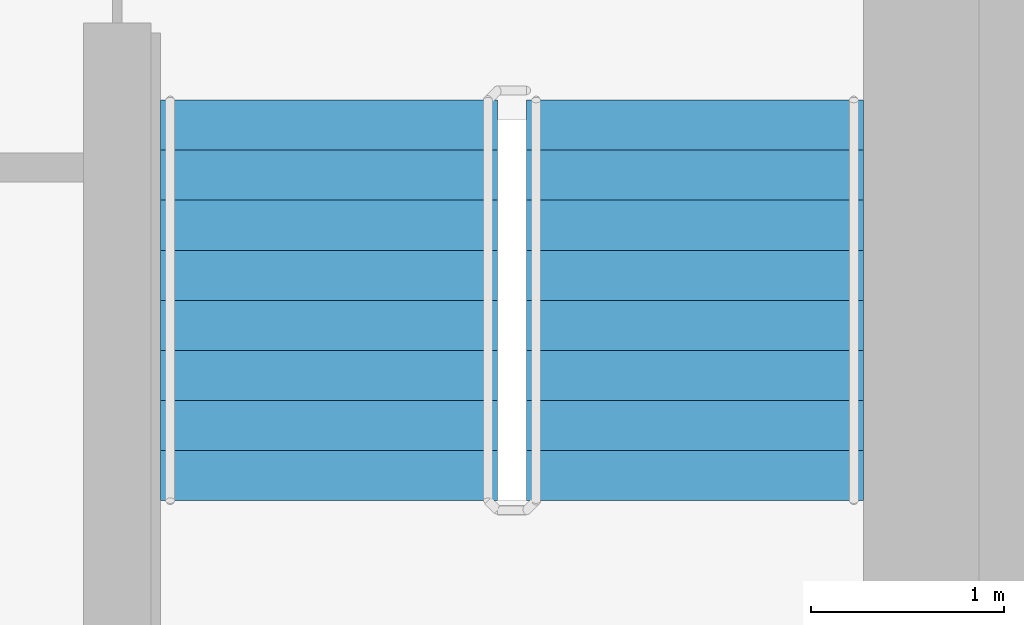
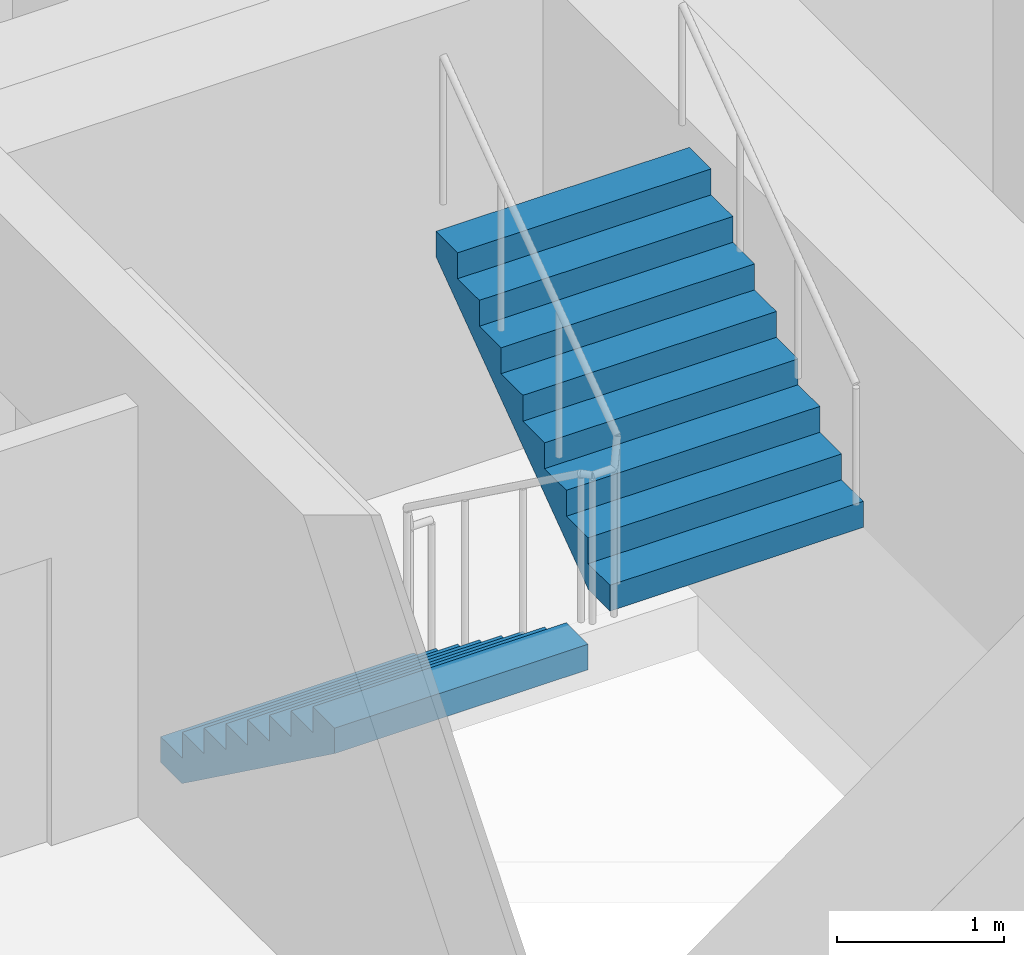
# One storey, part 15 of 19: 2 stair flights, 1 element without a shape of its own.
"""IFC4 building model written with IfcOpenShell, lengths in metres."""

from ifc_helpers import new_model, si_unit, direction, frame, origin, place, context, subcontext, project, spatial, faceted_brep, material, type_object, element, aggregate, save


model = new_model("IFC4")

# Units and contexts
model_context = context("Model", 3, precision=1e-05, world=origin(), true_north=direction((0.0, 1.0)))
body_context = subcontext(model_context, "Body", "Model", "MODEL_VIEW")
ifc_project = project(units=[si_unit("LENGTHUNIT", "METRE"), si_unit("AREAUNIT", "SQUARE_METRE"), si_unit("VOLUMEUNIT", "CUBIC_METRE"), si_unit("PLANEANGLEUNIT", "RADIAN"), si_unit("MASSUNIT", "GRAM", prefix="KILO")], contexts=[model_context])

# Site, building, storey
site_placement = place(None, origin())
site = spatial("IfcSite", under=ifc_project, at=site_placement, CompositionType="ELEMENT")
building_placement = place(site_placement, origin())
building = spatial("IfcBuilding", under=site, at=building_placement, Name="Ipe Terrace Towers", CompositionType="ELEMENT")
storey_placement = place(building_placement, frame((0.0, 0.0, 189.199951171875)))
storey = spatial("IfcBuildingStorey", under=building, at=storey_placement, Name="L52", CompositionType="ELEMENT", Elevation=189.199951171875)

# Stair, stair flights
ifc_material_1 = material(Name="Concrete C30/37", Category="concrete")
stair_type = type_object("IfcStairType", Name="Protected exit stair", PredefinedType="HALF_TURN_STAIR", material=ifc_material_1)
stair_placement = place(storey_placement, origin())
stair = element("IfcStair", 1, at=stair_placement, inside=storey, type_object=stair_type, Name="L52 Exit stair T2-C2", PredefinedType="HALF_TURN_STAIR")
ifc_material_2 = material(Name="Concrete C30/37", Category="concrete")
stair_flight_type = type_object("IfcStairFlightType", Name="Exit stair flight 1750", PredefinedType="STRAIGHT", material=ifc_material_2)
stair_flight_1_placement = place(storey_placement, frame((38.77490234375, -9.699951171875, 0.0), z_axis=(0.0, 0.0, 1.0), x_axis=(0.0, -1.0, 0.0)))
stair_flight_1 = element("IfcStairFlight", 2, at=stair_flight_1_placement, type_object=stair_flight_type, Name="T2-ST2 flight 1", NumberOfRisers=9, NumberOfTreads=8, PredefinedType="STRAIGHT", RiserHeight=0.188888889, TreadLength=0.26, context=body_context, shape_type="Brep", body=[
    faceted_brep([(0.255126953125, -0.875, 0.0), (2.080078125, -0.875, 1.325927734375), (2.080078125, -0.875, 1.51123046875), (1.820068359375, -0.875, 1.51123046875), (1.820068359375, -0.875, 1.322265625), (1.56005859375, -0.875, 1.322265625), (1.56005859375, -0.875, 1.13330078125), (1.300048828125, -0.875, 1.13330078125), (1.300048828125, -0.875, 0.9443359375), (1.0400390625, -0.875, 0.9443359375), (1.0400390625, -0.875, 0.755615234375), (0.780029296875, -0.875, 0.755615234375), (0.780029296875, -0.875, 0.566650390625), (0.52001953125, -0.875, 0.566650390625), (0.52001953125, -0.875, 0.377685546875), (0.260009765625, -0.875, 0.377685546875), (0.260009765625, -0.875, 0.18896484375), (0.0, -0.875, 0.18896484375), (0.0, -0.875, 0.0), (0.0, 0.875, 0.0), (0.0, 0.875, 0.18896484375), (0.260009765625, 0.875, 0.18896484375), (0.260009765625, 0.875, 0.377685546875), (0.52001953125, 0.875, 0.377685546875), (0.52001953125, 0.875, 0.566650390625), (0.780029296875, 0.875, 0.566650390625), (0.780029296875, 0.875, 0.755615234375), (1.0400390625, 0.875, 0.755615234375), (1.0400390625, 0.875, 0.9443359375), (1.300048828125, 0.875, 0.9443359375), (1.300048828125, 0.875, 1.13330078125), (1.56005859375, 0.875, 1.13330078125), (1.56005859375, 0.875, 1.322265625), (1.820068359375, 0.875, 1.322265625), (1.820068359375, 0.875, 1.51123046875), (2.080078125, 0.875, 1.51123046875), (2.080078125, 0.875, 1.325927734375), (0.255126953125, 0.875, 0.0), (0.0, -0.300048828125, 0.18896484375), (0.0, -0.1201171875, 0.18896484375), (0.0, -0.06005859375, 0.18896484375), (0.0, -0.030029296875, 0.18896484375), (0.0, -0.010009765625, 0.18896484375), (0.0, 0.0, 0.18896484375), (0.0, 0.010009765625, 0.18896484375), (0.0, 0.030029296875, 0.18896484375), (0.0, 0.06005859375, 0.18896484375), (0.0, 0.1201171875, 0.18896484375), (0.0, 0.300048828125, 0.18896484375), (0.0, 0.300048828125, 0.0), (0.0, 0.1201171875, 0.0), (0.0, 0.06005859375, 0.0), (0.0, 0.030029296875, 0.0), (0.0, 0.010009765625, 0.0), (0.0, 0.0, 0.0), (0.0, -0.010009765625, 0.0), (0.0, -0.030029296875, 0.0), (0.0, -0.06005859375, 0.0), (0.0, -0.1201171875, 0.0), (0.0, -0.300048828125, 0.0), (0.260009765625, -0.300048828125, 0.18896484375), (0.260009765625, -0.1201171875, 0.18896484375), (0.260009765625, -0.06005859375, 0.18896484375), (0.260009765625, -0.030029296875, 0.18896484375), (0.260009765625, -0.010009765625, 0.18896484375), (0.260009765625, 0.0, 0.18896484375), (0.260009765625, 0.010009765625, 0.18896484375), (0.260009765625, 0.030029296875, 0.18896484375), (0.260009765625, 0.06005859375, 0.18896484375), (0.260009765625, 0.1201171875, 0.18896484375), (0.260009765625, 0.300048828125, 0.18896484375), (0.260009765625, -0.300048828125, 0.377685546875), (0.260009765625, -0.1201171875, 0.377685546875), (0.260009765625, -0.06005859375, 0.377685546875), (0.260009765625, -0.030029296875, 0.377685546875), (0.260009765625, -0.010009765625, 0.377685546875), (0.260009765625, 0.0, 0.377685546875), (0.260009765625, 0.010009765625, 0.377685546875), (0.260009765625, 0.030029296875, 0.377685546875), (0.260009765625, 0.06005859375, 0.377685546875), (0.260009765625, 0.1201171875, 0.377685546875), (0.260009765625, 0.300048828125, 0.377685546875), (0.52001953125, -0.300048828125, 0.377685546875), (0.52001953125, -0.1201171875, 0.377685546875), (0.52001953125, -0.06005859375, 0.377685546875), (0.52001953125, -0.030029296875, 0.377685546875), (0.52001953125, -0.010009765625, 0.377685546875), (0.52001953125, 0.0, 0.377685546875), (0.52001953125, 0.010009765625, 0.377685546875), (0.52001953125, 0.030029296875, 0.377685546875), (0.52001953125, 0.06005859375, 0.377685546875), (0.52001953125, 0.1201171875, 0.377685546875), (0.52001953125, 0.300048828125, 0.377685546875), (0.52001953125, -0.300048828125, 0.566650390625), (0.52001953125, -0.1201171875, 0.566650390625), (0.52001953125, -0.06005859375, 0.566650390625), (0.52001953125, -0.030029296875, 0.566650390625), (0.52001953125, -0.010009765625, 0.566650390625), (0.52001953125, 0.0, 0.566650390625), (0.52001953125, 0.010009765625, 0.566650390625), (0.52001953125, 0.030029296875, 0.566650390625), (0.52001953125, 0.06005859375, 0.566650390625), (0.52001953125, 0.1201171875, 0.566650390625), (0.52001953125, 0.300048828125, 0.566650390625), (0.780029296875, -0.300048828125, 0.566650390625), (0.780029296875, -0.1201171875, 0.566650390625), (0.780029296875, -0.06005859375, 0.566650390625), (0.780029296875, -0.030029296875, 0.566650390625), (0.780029296875, -0.010009765625, 0.566650390625), (0.780029296875, 0.0, 0.566650390625), (0.780029296875, 0.010009765625, 0.566650390625), (0.780029296875, 0.030029296875, 0.566650390625), (0.780029296875, 0.06005859375, 0.566650390625), (0.780029296875, 0.1201171875, 0.566650390625), (0.780029296875, 0.300048828125, 0.566650390625), (0.780029296875, -0.300048828125, 0.755615234375), (0.780029296875, -0.1201171875, 0.755615234375), (0.780029296875, -0.06005859375, 0.755615234375), (0.780029296875, -0.030029296875, 0.755615234375), (0.780029296875, -0.010009765625, 0.755615234375), (0.780029296875, 0.0, 0.755615234375), (0.780029296875, 0.010009765625, 0.755615234375), (0.780029296875, 0.030029296875, 0.755615234375), (0.780029296875, 0.06005859375, 0.755615234375), (0.780029296875, 0.1201171875, 0.755615234375), (0.780029296875, 0.300048828125, 0.755615234375), (1.0400390625, -0.300048828125, 0.755615234375), (1.0400390625, -0.1201171875, 0.755615234375), (1.0400390625, -0.06005859375, 0.755615234375), (1.0400390625, -0.030029296875, 0.755615234375), (1.0400390625, -0.010009765625, 0.755615234375), (1.0400390625, 0.0, 0.755615234375), (1.0400390625, 0.010009765625, 0.755615234375), (1.0400390625, 0.030029296875, 0.755615234375), (1.0400390625, 0.06005859375, 0.755615234375), (1.0400390625, 0.1201171875, 0.755615234375), (1.0400390625, 0.300048828125, 0.755615234375), (1.0400390625, -0.300048828125, 0.9443359375), (1.0400390625, -0.1201171875, 0.9443359375), (1.0400390625, -0.06005859375, 0.9443359375), (1.0400390625, -0.030029296875, 0.9443359375), (1.0400390625, -0.010009765625, 0.9443359375), (1.0400390625, 0.0, 0.9443359375), (1.0400390625, 0.010009765625, 0.9443359375), (1.0400390625, 0.030029296875, 0.9443359375), (1.0400390625, 0.06005859375, 0.9443359375), (1.0400390625, 0.1201171875, 0.9443359375), (1.0400390625, 0.300048828125, 0.9443359375), (1.300048828125, -0.300048828125, 0.9443359375), (1.300048828125, -0.1201171875, 0.9443359375), (1.300048828125, -0.06005859375, 0.9443359375), (1.300048828125, -0.030029296875, 0.9443359375), (1.300048828125, -0.010009765625, 0.9443359375), (1.300048828125, 0.0, 0.9443359375), (1.300048828125, 0.010009765625, 0.9443359375), (1.300048828125, 0.030029296875, 0.9443359375), (1.300048828125, 0.06005859375, 0.9443359375), (1.300048828125, 0.1201171875, 0.9443359375), (1.300048828125, 0.300048828125, 0.9443359375), (1.300048828125, -0.300048828125, 1.13330078125), (1.300048828125, -0.1201171875, 1.13330078125), (1.300048828125, -0.06005859375, 1.13330078125), (1.300048828125, -0.030029296875, 1.13330078125), (1.300048828125, -0.010009765625, 1.13330078125), (1.300048828125, 0.0, 1.13330078125), (1.300048828125, 0.010009765625, 1.13330078125), (1.300048828125, 0.030029296875, 1.13330078125), (1.300048828125, 0.06005859375, 1.13330078125), (1.300048828125, 0.1201171875, 1.13330078125), (1.300048828125, 0.300048828125, 1.13330078125), (1.56005859375, -0.300048828125, 1.13330078125), (1.56005859375, -0.1201171875, 1.13330078125), (1.56005859375, -0.06005859375, 1.13330078125), (1.56005859375, -0.030029296875, 1.13330078125), (1.56005859375, -0.010009765625, 1.13330078125), (1.56005859375, 0.0, 1.13330078125), (1.56005859375, 0.010009765625, 1.13330078125), (1.56005859375, 0.030029296875, 1.13330078125), (1.56005859375, 0.06005859375, 1.13330078125), (1.56005859375, 0.1201171875, 1.13330078125), (1.56005859375, 0.300048828125, 1.13330078125), (1.56005859375, -0.300048828125, 1.322265625), (1.56005859375, -0.1201171875, 1.322265625), (1.56005859375, -0.06005859375, 1.322265625), (1.56005859375, -0.030029296875, 1.322265625), (1.56005859375, -0.010009765625, 1.322265625), (1.56005859375, 0.0, 1.322265625), (1.56005859375, 0.010009765625, 1.322265625), (1.56005859375, 0.030029296875, 1.322265625), (1.56005859375, 0.06005859375, 1.322265625), (1.56005859375, 0.1201171875, 1.322265625), (1.56005859375, 0.300048828125, 1.322265625), (1.820068359375, -0.300048828125, 1.322265625), (1.820068359375, -0.1201171875, 1.322265625), (1.820068359375, -0.06005859375, 1.322265625), (1.820068359375, -0.030029296875, 1.322265625), (1.820068359375, -0.010009765625, 1.322265625), (1.820068359375, 0.0, 1.322265625), (1.820068359375, 0.010009765625, 1.322265625), (1.820068359375, 0.030029296875, 1.322265625), (1.820068359375, 0.06005859375, 1.322265625), (1.820068359375, 0.1201171875, 1.322265625), (1.820068359375, 0.300048828125, 1.322265625), (1.820068359375, -0.300048828125, 1.51123046875), (1.820068359375, -0.1201171875, 1.51123046875), (1.820068359375, -0.06005859375, 1.51123046875), (1.820068359375, -0.030029296875, 1.51123046875), (1.820068359375, -0.010009765625, 1.51123046875), (1.820068359375, 0.0, 1.51123046875), (1.820068359375, 0.010009765625, 1.51123046875), (1.820068359375, 0.030029296875, 1.51123046875), (1.820068359375, 0.06005859375, 1.51123046875), (1.820068359375, 0.1201171875, 1.51123046875), (1.820068359375, 0.300048828125, 1.51123046875), (2.080078125, -0.300048828125, 1.51123046875), (2.080078125, -0.1201171875, 1.51123046875), (2.080078125, -0.06005859375, 1.51123046875), (2.080078125, -0.030029296875, 1.51123046875), (2.080078125, -0.010009765625, 1.51123046875), (2.080078125, 0.0, 1.51123046875), (2.080078125, 0.010009765625, 1.51123046875), (2.080078125, 0.030029296875, 1.51123046875), (2.080078125, 0.06005859375, 1.51123046875), (2.080078125, 0.1201171875, 1.51123046875), (2.080078125, 0.300048828125, 1.51123046875), (2.080078125, -0.300048828125, 1.325927734375), (2.080078125, -0.1201171875, 1.325927734375), (2.080078125, -0.06005859375, 1.325927734375), (2.080078125, -0.030029296875, 1.325927734375), (2.080078125, -0.010009765625, 1.325927734375), (2.080078125, 0.0, 1.325927734375), (2.080078125, 0.010009765625, 1.325927734375), (2.080078125, 0.030029296875, 1.325927734375), (2.080078125, 0.06005859375, 1.325927734375), (2.080078125, 0.1201171875, 1.325927734375), (2.080078125, 0.300048828125, 1.325927734375), (0.255126953125, -0.300048828125, 0.0), (0.255126953125, -0.1201171875, 0.0), (0.255126953125, -0.06005859375, 0.0), (0.255126953125, -0.030029296875, 0.0), (0.255126953125, -0.010009765625, 0.0), (0.255126953125, 0.0, 0.0), (0.255126953125, 0.010009765625, 0.0), (0.255126953125, 0.030029296875, 0.0), (0.255126953125, 0.06005859375, 0.0), (0.255126953125, 0.1201171875, 0.0), (0.255126953125, 0.300048828125, 0.0)], [[[0, 1, 2, 3, 4, 5, 6, 7, 8, 9, 10, 11, 12, 13, 14, 15, 16, 17, 18]], [[19, 20, 21, 22, 23, 24, 25, 26, 27, 28, 29, 30, 31, 32, 33, 34, 35, 36, 37]], [[17, 38, 39, 40, 41, 42, 43, 44, 45, 46, 47, 48, 20, 19, 49, 50, 51, 52, 53, 54, 55, 56, 57, 58, 59, 18]], [[16, 60, 61, 62, 63, 64, 65, 66, 67, 68, 69, 70, 21, 20, 48, 47, 46, 45, 44, 43, 42, 41, 40, 39, 38, 17]], [[15, 71, 72, 73, 74, 75, 76, 77, 78, 79, 80, 81, 22, 21, 70, 69, 68, 67, 66, 65, 64, 63, 62, 61, 60, 16]], [[14, 82, 83, 84, 85, 86, 87, 88, 89, 90, 91, 92, 23, 22, 81, 80, 79, 78, 77, 76, 75, 74, 73, 72, 71, 15]], [[13, 93, 94, 95, 96, 97, 98, 99, 100, 101, 102, 103, 24, 23, 92, 91, 90, 89, 88, 87, 86, 85, 84, 83, 82, 14]], [[12, 104, 105, 106, 107, 108, 109, 110, 111, 112, 113, 114, 25, 24, 103, 102, 101, 100, 99, 98, 97, 96, 95, 94, 93, 13]], [[11, 115, 116, 117, 118, 119, 120, 121, 122, 123, 124, 125, 26, 25, 114, 113, 112, 111, 110, 109, 108, 107, 106, 105, 104, 12]], [[10, 126, 127, 128, 129, 130, 131, 132, 133, 134, 135, 136, 27, 26, 125, 124, 123, 122, 121, 120, 119, 118, 117, 116, 115, 11]], [[9, 137, 138, 139, 140, 141, 142, 143, 144, 145, 146, 147, 28, 27, 136, 135, 134, 133, 132, 131, 130, 129, 128, 127, 126, 10]], [[8, 148, 149, 150, 151, 152, 153, 154, 155, 156, 157, 158, 29, 28, 147, 146, 145, 144, 143, 142, 141, 140, 139, 138, 137, 9]], [[7, 159, 160, 161, 162, 163, 164, 165, 166, 167, 168, 169, 30, 29, 158, 157, 156, 155, 154, 153, 152, 151, 150, 149, 148, 8]], [[6, 170, 171, 172, 173, 174, 175, 176, 177, 178, 179, 180, 31, 30, 169, 168, 167, 166, 165, 164, 163, 162, 161, 160, 159, 7]], [[5, 181, 182, 183, 184, 185, 186, 187, 188, 189, 190, 191, 32, 31, 180, 179, 178, 177, 176, 175, 174, 173, 172, 171, 170, 6]], [[4, 192, 193, 194, 195, 196, 197, 198, 199, 200, 201, 202, 33, 32, 191, 190, 189, 188, 187, 186, 185, 184, 183, 182, 181, 5]], [[3, 203, 204, 205, 206, 207, 208, 209, 210, 211, 212, 213, 34, 33, 202, 201, 200, 199, 198, 197, 196, 195, 194, 193, 192, 4]], [[2, 214, 215, 216, 217, 218, 219, 220, 221, 222, 223, 224, 35, 34, 213, 212, 211, 210, 209, 208, 207, 206, 205, 204, 203, 3]], [[1, 225, 226, 227, 228, 229, 230, 231, 232, 233, 234, 235, 36, 35, 224, 223, 222, 221, 220, 219, 218, 217, 216, 215, 214, 2]], [[0, 236, 237, 238, 239, 240, 241, 242, 243, 244, 245, 246, 37, 36, 235, 234, 233, 232, 231, 230, 229, 228, 227, 226, 225, 1]], [[18, 59, 58, 57, 56, 55, 54, 53, 52, 51, 50, 49, 19, 37, 246, 245, 244, 243, 242, 241, 240, 239, 238, 237, 236, 0]]]),
])
stair_flight_2_placement = place(storey_placement, frame((40.675048828125, -11.780029296875, 1.699951171875), z_axis=(0.0, 0.0, 1.0), x_axis=(0.0, 1.0, 0.0)))
stair_flight_2 = element("IfcStairFlight", 3, at=stair_flight_2_placement, type_object=stair_flight_type, Name="T2-ST2 flight 2", NumberOfRisers=9, NumberOfTreads=8, PredefinedType="STRAIGHT", RiserHeight=0.188888889, TreadLength=0.26, context=body_context, shape_type="Brep", body=[
    faceted_brep([(0.255126953125, -0.875, 0.0), (2.080078125, -0.875, 1.325927734375), (2.080078125, -0.875, 1.51123046875), (1.820068359375, -0.875, 1.51123046875), (1.820068359375, -0.875, 1.322265625), (1.56005859375, -0.875, 1.322265625), (1.56005859375, -0.875, 1.13330078125), (1.300048828125, -0.875, 1.13330078125), (1.300048828125, -0.875, 0.9443359375), (1.0400390625, -0.875, 0.9443359375), (1.0400390625, -0.875, 0.755615234375), (0.780029296875, -0.875, 0.755615234375), (0.780029296875, -0.875, 0.566650390625), (0.52001953125, -0.875, 0.566650390625), (0.52001953125, -0.875, 0.377685546875), (0.260009765625, -0.875, 0.377685546875), (0.260009765625, -0.875, 0.18896484375), (0.0, -0.875, 0.18896484375), (0.0, -0.875, 0.0), (0.0, 0.875, 0.0), (0.0, 0.875, 0.18896484375), (0.260009765625, 0.875, 0.18896484375), (0.260009765625, 0.875, 0.377685546875), (0.52001953125, 0.875, 0.377685546875), (0.52001953125, 0.875, 0.566650390625), (0.780029296875, 0.875, 0.566650390625), (0.780029296875, 0.875, 0.755615234375), (1.0400390625, 0.875, 0.755615234375), (1.0400390625, 0.875, 0.9443359375), (1.300048828125, 0.875, 0.9443359375), (1.300048828125, 0.875, 1.13330078125), (1.56005859375, 0.875, 1.13330078125), (1.56005859375, 0.875, 1.322265625), (1.820068359375, 0.875, 1.322265625), (1.820068359375, 0.875, 1.51123046875), (2.080078125, 0.875, 1.51123046875), (2.080078125, 0.875, 1.325927734375), (0.255126953125, 0.875, 0.0), (0.0, -0.300048828125, 0.18896484375), (0.0, -0.1201171875, 0.18896484375), (0.0, -0.06005859375, 0.18896484375), (0.0, -0.030029296875, 0.18896484375), (0.0, -0.010009765625, 0.18896484375), (0.0, 0.0, 0.18896484375), (0.0, 0.010009765625, 0.18896484375), (0.0, 0.030029296875, 0.18896484375), (0.0, 0.06005859375, 0.18896484375), (0.0, 0.1201171875, 0.18896484375), (0.0, 0.300048828125, 0.18896484375), (0.0, 0.300048828125, 0.0), (0.0, 0.1201171875, 0.0), (0.0, 0.06005859375, 0.0), (0.0, 0.030029296875, 0.0), (0.0, 0.010009765625, 0.0), (0.0, 0.0, 0.0), (0.0, -0.010009765625, 0.0), (0.0, -0.030029296875, 0.0), (0.0, -0.06005859375, 0.0), (0.0, -0.1201171875, 0.0), (0.0, -0.300048828125, 0.0), (0.260009765625, -0.300048828125, 0.18896484375), (0.260009765625, -0.1201171875, 0.18896484375), (0.260009765625, -0.06005859375, 0.18896484375), (0.260009765625, -0.030029296875, 0.18896484375), (0.260009765625, -0.010009765625, 0.18896484375), (0.260009765625, 0.0, 0.18896484375), (0.260009765625, 0.010009765625, 0.18896484375), (0.260009765625, 0.030029296875, 0.18896484375), (0.260009765625, 0.06005859375, 0.18896484375), (0.260009765625, 0.1201171875, 0.18896484375), (0.260009765625, 0.300048828125, 0.18896484375), (0.260009765625, -0.300048828125, 0.377685546875), (0.260009765625, -0.1201171875, 0.377685546875), (0.260009765625, -0.06005859375, 0.377685546875), (0.260009765625, -0.030029296875, 0.377685546875), (0.260009765625, -0.010009765625, 0.377685546875), (0.260009765625, 0.0, 0.377685546875), (0.260009765625, 0.010009765625, 0.377685546875), (0.260009765625, 0.030029296875, 0.377685546875), (0.260009765625, 0.06005859375, 0.377685546875), (0.260009765625, 0.1201171875, 0.377685546875), (0.260009765625, 0.300048828125, 0.377685546875), (0.52001953125, -0.300048828125, 0.377685546875), (0.52001953125, -0.1201171875, 0.377685546875), (0.52001953125, -0.06005859375, 0.377685546875), (0.52001953125, -0.030029296875, 0.377685546875), (0.52001953125, -0.010009765625, 0.377685546875), (0.52001953125, 0.0, 0.377685546875), (0.52001953125, 0.010009765625, 0.377685546875), (0.52001953125, 0.030029296875, 0.377685546875), (0.52001953125, 0.06005859375, 0.377685546875), (0.52001953125, 0.1201171875, 0.377685546875), (0.52001953125, 0.300048828125, 0.377685546875), (0.52001953125, -0.300048828125, 0.566650390625), (0.52001953125, -0.1201171875, 0.566650390625), (0.52001953125, -0.06005859375, 0.566650390625), (0.52001953125, -0.030029296875, 0.566650390625), (0.52001953125, -0.010009765625, 0.566650390625), (0.52001953125, 0.0, 0.566650390625), (0.52001953125, 0.010009765625, 0.566650390625), (0.52001953125, 0.030029296875, 0.566650390625), (0.52001953125, 0.06005859375, 0.566650390625), (0.52001953125, 0.1201171875, 0.566650390625), (0.52001953125, 0.300048828125, 0.566650390625), (0.780029296875, -0.300048828125, 0.566650390625), (0.780029296875, -0.1201171875, 0.566650390625), (0.780029296875, -0.06005859375, 0.566650390625), (0.780029296875, -0.030029296875, 0.566650390625), (0.780029296875, -0.010009765625, 0.566650390625), (0.780029296875, 0.0, 0.566650390625), (0.780029296875, 0.010009765625, 0.566650390625), (0.780029296875, 0.030029296875, 0.566650390625), (0.780029296875, 0.06005859375, 0.566650390625), (0.780029296875, 0.1201171875, 0.566650390625), (0.780029296875, 0.300048828125, 0.566650390625), (0.780029296875, -0.300048828125, 0.755615234375), (0.780029296875, -0.1201171875, 0.755615234375), (0.780029296875, -0.06005859375, 0.755615234375), (0.780029296875, -0.030029296875, 0.755615234375), (0.780029296875, -0.010009765625, 0.755615234375), (0.780029296875, 0.0, 0.755615234375), (0.780029296875, 0.010009765625, 0.755615234375), (0.780029296875, 0.030029296875, 0.755615234375), (0.780029296875, 0.06005859375, 0.755615234375), (0.780029296875, 0.1201171875, 0.755615234375), (0.780029296875, 0.300048828125, 0.755615234375), (1.0400390625, -0.300048828125, 0.755615234375), (1.0400390625, -0.1201171875, 0.755615234375), (1.0400390625, -0.06005859375, 0.755615234375), (1.0400390625, -0.030029296875, 0.755615234375), (1.0400390625, -0.010009765625, 0.755615234375), (1.0400390625, 0.0, 0.755615234375), (1.0400390625, 0.010009765625, 0.755615234375), (1.0400390625, 0.030029296875, 0.755615234375), (1.0400390625, 0.06005859375, 0.755615234375), (1.0400390625, 0.1201171875, 0.755615234375), (1.0400390625, 0.300048828125, 0.755615234375), (1.0400390625, -0.300048828125, 0.9443359375), (1.0400390625, -0.1201171875, 0.9443359375), (1.0400390625, -0.06005859375, 0.9443359375), (1.0400390625, -0.030029296875, 0.9443359375), (1.0400390625, -0.010009765625, 0.9443359375), (1.0400390625, 0.0, 0.9443359375), (1.0400390625, 0.010009765625, 0.9443359375), (1.0400390625, 0.030029296875, 0.9443359375), (1.0400390625, 0.06005859375, 0.9443359375), (1.0400390625, 0.1201171875, 0.9443359375), (1.0400390625, 0.300048828125, 0.9443359375), (1.300048828125, -0.300048828125, 0.9443359375), (1.300048828125, -0.1201171875, 0.9443359375), (1.300048828125, -0.06005859375, 0.9443359375), (1.300048828125, -0.030029296875, 0.9443359375), (1.300048828125, -0.010009765625, 0.9443359375), (1.300048828125, 0.0, 0.9443359375), (1.300048828125, 0.010009765625, 0.9443359375), (1.300048828125, 0.030029296875, 0.9443359375), (1.300048828125, 0.06005859375, 0.9443359375), (1.300048828125, 0.1201171875, 0.9443359375), (1.300048828125, 0.300048828125, 0.9443359375), (1.300048828125, -0.300048828125, 1.13330078125), (1.300048828125, -0.1201171875, 1.13330078125), (1.300048828125, -0.06005859375, 1.13330078125), (1.300048828125, -0.030029296875, 1.13330078125), (1.300048828125, -0.010009765625, 1.13330078125), (1.300048828125, 0.0, 1.13330078125), (1.300048828125, 0.010009765625, 1.13330078125), (1.300048828125, 0.030029296875, 1.13330078125), (1.300048828125, 0.06005859375, 1.13330078125), (1.300048828125, 0.1201171875, 1.13330078125), (1.300048828125, 0.300048828125, 1.13330078125), (1.56005859375, -0.300048828125, 1.13330078125), (1.56005859375, -0.1201171875, 1.13330078125), (1.56005859375, -0.06005859375, 1.13330078125), (1.56005859375, -0.030029296875, 1.13330078125), (1.56005859375, -0.010009765625, 1.13330078125), (1.56005859375, 0.0, 1.13330078125), (1.56005859375, 0.010009765625, 1.13330078125), (1.56005859375, 0.030029296875, 1.13330078125), (1.56005859375, 0.06005859375, 1.13330078125), (1.56005859375, 0.1201171875, 1.13330078125), (1.56005859375, 0.300048828125, 1.13330078125), (1.56005859375, -0.300048828125, 1.322265625), (1.56005859375, -0.1201171875, 1.322265625), (1.56005859375, -0.06005859375, 1.322265625), (1.56005859375, -0.030029296875, 1.322265625), (1.56005859375, -0.010009765625, 1.322265625), (1.56005859375, 0.0, 1.322265625), (1.56005859375, 0.010009765625, 1.322265625), (1.56005859375, 0.030029296875, 1.322265625), (1.56005859375, 0.06005859375, 1.322265625), (1.56005859375, 0.1201171875, 1.322265625), (1.56005859375, 0.300048828125, 1.322265625), (1.820068359375, -0.300048828125, 1.322265625), (1.820068359375, -0.1201171875, 1.322265625), (1.820068359375, -0.06005859375, 1.322265625), (1.820068359375, -0.030029296875, 1.322265625), (1.820068359375, -0.010009765625, 1.322265625), (1.820068359375, 0.0, 1.322265625), (1.820068359375, 0.010009765625, 1.322265625), (1.820068359375, 0.030029296875, 1.322265625), (1.820068359375, 0.06005859375, 1.322265625), (1.820068359375, 0.1201171875, 1.322265625), (1.820068359375, 0.300048828125, 1.322265625), (1.820068359375, -0.300048828125, 1.51123046875), (1.820068359375, -0.1201171875, 1.51123046875), (1.820068359375, -0.06005859375, 1.51123046875), (1.820068359375, -0.030029296875, 1.51123046875), (1.820068359375, -0.010009765625, 1.51123046875), (1.820068359375, 0.0, 1.51123046875), (1.820068359375, 0.010009765625, 1.51123046875), (1.820068359375, 0.030029296875, 1.51123046875), (1.820068359375, 0.06005859375, 1.51123046875), (1.820068359375, 0.1201171875, 1.51123046875), (1.820068359375, 0.300048828125, 1.51123046875), (2.080078125, -0.300048828125, 1.51123046875), (2.080078125, -0.1201171875, 1.51123046875), (2.080078125, -0.06005859375, 1.51123046875), (2.080078125, -0.030029296875, 1.51123046875), (2.080078125, -0.010009765625, 1.51123046875), (2.080078125, 0.0, 1.51123046875), (2.080078125, 0.010009765625, 1.51123046875), (2.080078125, 0.030029296875, 1.51123046875), (2.080078125, 0.06005859375, 1.51123046875), (2.080078125, 0.1201171875, 1.51123046875), (2.080078125, 0.300048828125, 1.51123046875), (2.080078125, -0.300048828125, 1.325927734375), (2.080078125, -0.1201171875, 1.325927734375), (2.080078125, -0.06005859375, 1.325927734375), (2.080078125, -0.030029296875, 1.325927734375), (2.080078125, -0.010009765625, 1.325927734375), (2.080078125, 0.0, 1.325927734375), (2.080078125, 0.010009765625, 1.325927734375), (2.080078125, 0.030029296875, 1.325927734375), (2.080078125, 0.06005859375, 1.325927734375), (2.080078125, 0.1201171875, 1.325927734375), (2.080078125, 0.300048828125, 1.325927734375), (0.255126953125, -0.300048828125, 0.0), (0.255126953125, -0.1201171875, 0.0), (0.255126953125, -0.06005859375, 0.0), (0.255126953125, -0.030029296875, 0.0), (0.255126953125, -0.010009765625, 0.0), (0.255126953125, 0.0, 0.0), (0.255126953125, 0.010009765625, 0.0), (0.255126953125, 0.030029296875, 0.0), (0.255126953125, 0.06005859375, 0.0), (0.255126953125, 0.1201171875, 0.0), (0.255126953125, 0.300048828125, 0.0)], [[[0, 1, 2, 3, 4, 5, 6, 7, 8, 9, 10, 11, 12, 13, 14, 15, 16, 17, 18]], [[19, 20, 21, 22, 23, 24, 25, 26, 27, 28, 29, 30, 31, 32, 33, 34, 35, 36, 37]], [[17, 38, 39, 40, 41, 42, 43, 44, 45, 46, 47, 48, 20, 19, 49, 50, 51, 52, 53, 54, 55, 56, 57, 58, 59, 18]], [[16, 60, 61, 62, 63, 64, 65, 66, 67, 68, 69, 70, 21, 20, 48, 47, 46, 45, 44, 43, 42, 41, 40, 39, 38, 17]], [[15, 71, 72, 73, 74, 75, 76, 77, 78, 79, 80, 81, 22, 21, 70, 69, 68, 67, 66, 65, 64, 63, 62, 61, 60, 16]], [[14, 82, 83, 84, 85, 86, 87, 88, 89, 90, 91, 92, 23, 22, 81, 80, 79, 78, 77, 76, 75, 74, 73, 72, 71, 15]], [[13, 93, 94, 95, 96, 97, 98, 99, 100, 101, 102, 103, 24, 23, 92, 91, 90, 89, 88, 87, 86, 85, 84, 83, 82, 14]], [[12, 104, 105, 106, 107, 108, 109, 110, 111, 112, 113, 114, 25, 24, 103, 102, 101, 100, 99, 98, 97, 96, 95, 94, 93, 13]], [[11, 115, 116, 117, 118, 119, 120, 121, 122, 123, 124, 125, 26, 25, 114, 113, 112, 111, 110, 109, 108, 107, 106, 105, 104, 12]], [[10, 126, 127, 128, 129, 130, 131, 132, 133, 134, 135, 136, 27, 26, 125, 124, 123, 122, 121, 120, 119, 118, 117, 116, 115, 11]], [[9, 137, 138, 139, 140, 141, 142, 143, 144, 145, 146, 147, 28, 27, 136, 135, 134, 133, 132, 131, 130, 129, 128, 127, 126, 10]], [[8, 148, 149, 150, 151, 152, 153, 154, 155, 156, 157, 158, 29, 28, 147, 146, 145, 144, 143, 142, 141, 140, 139, 138, 137, 9]], [[7, 159, 160, 161, 162, 163, 164, 165, 166, 167, 168, 169, 30, 29, 158, 157, 156, 155, 154, 153, 152, 151, 150, 149, 148, 8]], [[6, 170, 171, 172, 173, 174, 175, 176, 177, 178, 179, 180, 31, 30, 169, 168, 167, 166, 165, 164, 163, 162, 161, 160, 159, 7]], [[5, 181, 182, 183, 184, 185, 186, 187, 188, 189, 190, 191, 32, 31, 180, 179, 178, 177, 176, 175, 174, 173, 172, 171, 170, 6]], [[4, 192, 193, 194, 195, 196, 197, 198, 199, 200, 201, 202, 33, 32, 191, 190, 189, 188, 187, 186, 185, 184, 183, 182, 181, 5]], [[3, 203, 204, 205, 206, 207, 208, 209, 210, 211, 212, 213, 34, 33, 202, 201, 200, 199, 198, 197, 196, 195, 194, 193, 192, 4]], [[2, 214, 215, 216, 217, 218, 219, 220, 221, 222, 223, 224, 35, 34, 213, 212, 211, 210, 209, 208, 207, 206, 205, 204, 203, 3]], [[1, 225, 226, 227, 228, 229, 230, 231, 232, 233, 234, 235, 36, 35, 224, 223, 222, 221, 220, 219, 218, 217, 216, 215, 214, 2]], [[0, 236, 237, 238, 239, 240, 241, 242, 243, 244, 245, 246, 37, 36, 235, 234, 233, 232, 231, 230, 229, 228, 227, 226, 225, 1]], [[18, 59, 58, 57, 56, 55, 54, 53, 52, 51, 50, 49, 19, 37, 246, 245, 244, 243, 242, 241, 240, 239, 238, 237, 236, 0]]]),
])
aggregate(stair, [stair_flight_1, stair_flight_2])

save(model, "model.ifc")
